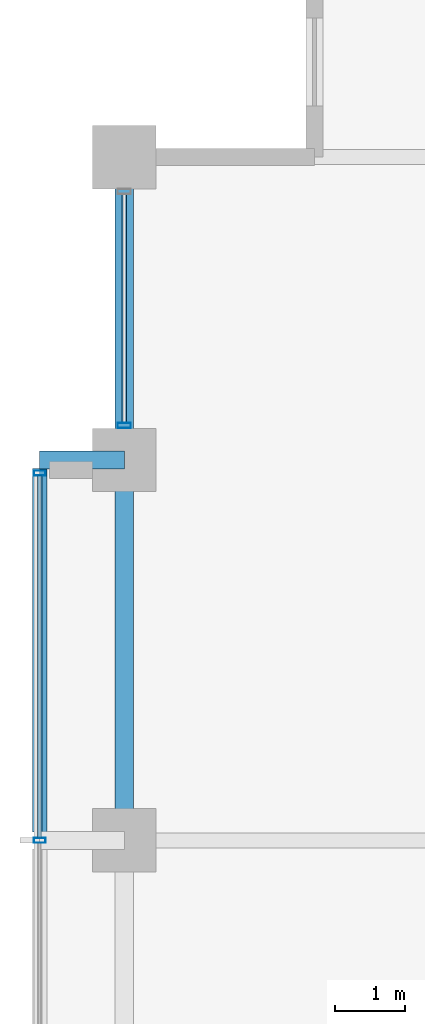
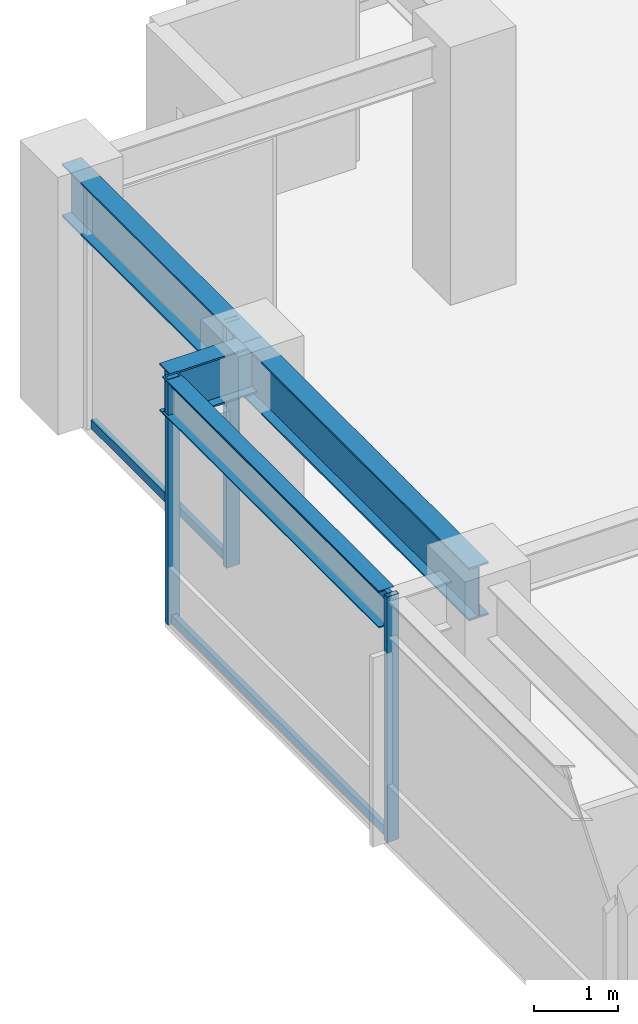
# One storey, part 16 of 32: 6 members, 4 beams, 2 elements without a shape of their own.
"""IFC4 building model written with IfcOpenShell, lengths in metres."""

from ifc_helpers import new_model, si_unit, direction, frame, origin, origin_2d, place, context, subcontext, project, spatial, hollow_rectangle, i_section, extrude, material, layer, layer_set, material_profile, profile_set, type_object, element, aggregate, save


model = new_model("IFC4")

# Units and contexts
model_context = context("Model", 3, precision=1e-05, world=origin(), true_north=direction((0.0, 1.0)))
body_context = subcontext(model_context, "Body", "Model", "MODEL_VIEW")
ifc_project = project(units=[si_unit("LENGTHUNIT", "METRE"), si_unit("AREAUNIT", "SQUARE_METRE"), si_unit("VOLUMEUNIT", "CUBIC_METRE"), si_unit("PLANEANGLEUNIT", "RADIAN"), si_unit("MASSUNIT", "GRAM", prefix="KILO")], contexts=[model_context])

# Site, building, storey
site_placement = place(None, origin())
site = spatial("IfcSite", under=ifc_project, at=site_placement, CompositionType="ELEMENT")
building_placement = place(site_placement, origin())
building = spatial("IfcBuilding", under=site, at=building_placement, Name="Surkhivell Harbour Commons", CompositionType="ELEMENT")
storey_placement = place(building_placement, frame((0.0, 0.0, 189.75)))
storey = spatial("IfcBuildingStorey", under=building, at=storey_placement, Name="L49", CompositionType="ELEMENT", Elevation=189.75)

# Beams
ifc_material_1 = material(Name="Steel S460", Category="steel")
ifc_material_profile_1 = material_profile(ifc_material_1, i_section(OverallWidth=0.256103515625, OverallDepth=0.693115234375, WebThickness=0.014404296875, FlangeThickness=0.023681640625, at=origin_2d()), Name="UB686x254x170")
ifc_profile_set_1 = profile_set([ifc_material_profile_1], Name="Steel S460")
beam_type_1 = type_object("IfcBeamType", Name="BM-CNT-686", PredefinedType="BEAM", material=ifc_profile_set_1)
beam_1_placement = place(storey_placement, frame((-27.0, 16.199951171875, 3.223388671875), z_axis=(-1.0, 0.0, 0.0), x_axis=(0.0, -1.0, 0.0)))
element("IfcBeam", 1, at=beam_1_placement, inside=storey, type_object=beam_type_1, Name="L49 Box Cantilever Outrigger (-27.0,16.2)", PredefinedType="BEAM", context=body_context, shape_type="SweptSolid", body=[
    extrude(i_section(OverallWidth=0.256103515625, OverallDepth=0.693115234375, WebThickness=0.014404296875, FlangeThickness=0.023681640625, at=origin_2d()), origin(), (0.0, 0.0, 1.0), 1.199951171875),
])
ifc_material_2 = material(Name="Steel S355", Category="steel")
ifc_material_profile_2 = material_profile(ifc_material_2, i_section(OverallWidth=0.2099609375, OverallDepth=0.537109375, WebThickness=0.0107421875, FlangeThickness=0.017333984375, at=origin_2d()), Name="UB533x210x101")
ifc_profile_set_2 = profile_set([ifc_material_profile_2], Name="Steel S355")
beam_type_2 = type_object("IfcBeamType", Name="BM-GRD-533B", PredefinedType="BEAM", material=ifc_profile_set_2)
beam_2_placement = place(storey_placement, frame((-28.199951171875, 10.922119140625, 3.301513671875), z_axis=(0.0, 1.0, 0.0), x_axis=(-1.0, 0.0, 0.0)))
element("IfcBeam", 2, at=beam_2_placement, inside=storey, type_object=beam_type_2, Name="L49 Box Rim Spandrel (-28.2,10.8)", PredefinedType="BEAM", context=body_context, shape_type="SweptSolid", body=[
    extrude(i_section(OverallWidth=0.2099609375, OverallDepth=0.537109375, WebThickness=0.0107421875, FlangeThickness=0.017333984375, at=origin_2d()), origin(), (0.0, 0.0, 1.0), 5.15576171875),
])
ifc_material_profile_3 = material_profile(ifc_material_2, i_section(OverallWidth=0.26806640625, OverallDepth=0.77001953125, WebThickness=0.015625, FlangeThickness=0.025390625, at=origin_2d()), Name="UB762x267x197")
ifc_profile_set_3 = profile_set([ifc_material_profile_3], Name="Steel S355")
beam_type_3 = type_object("IfcBeamType", Name="BM-SPN-762", PredefinedType="SPANDREL", material=ifc_profile_set_3)
beam_3_placement = place(storey_placement, frame((-27.0, 10.800048828125, 3.18505859375), z_axis=(0.0, 1.0, 0.0), x_axis=(-1.0, 0.0, 0.0)))
element("IfcBeam", 3, at=beam_3_placement, inside=storey, type_object=beam_type_3, Name="L49 Tube Spandrel (-27.0,10.8)", PredefinedType="SPANDREL", context=body_context, shape_type="SweptSolid", body=[
    extrude(i_section(OverallWidth=0.26806640625, OverallDepth=0.77001953125, WebThickness=0.015625, FlangeThickness=0.025390625, at=origin_2d()), origin(), (0.0, 0.0, 1.0), 5.39990234375),
])
beam_4_placement = place(storey_placement, frame((-27.0, 16.199951171875, 3.18505859375), z_axis=(0.0, 1.0, 0.0), x_axis=(-1.0, 0.0, 0.0)))
element("IfcBeam", 4, at=beam_4_placement, inside=storey, type_object=beam_type_3, Name="L49 Tube Spandrel (-27.0,16.2)", PredefinedType="SPANDREL", context=body_context, shape_type="SweptSolid", body=[
    extrude(i_section(OverallWidth=0.26806640625, OverallDepth=0.77001953125, WebThickness=0.015625, FlangeThickness=0.025390625, at=origin_2d()), origin(), (0.0, 0.0, 1.0), 4.300048828125),
])

# Curtain wall, members
ifc_material_3 = material(Name="Anodised pale-metal aluminium and insulated glazing", Category="aluminium")
ifc_layer_1 = layer(ifc_material_3, 0.1650390625)
ifc_layer_set_1 = layer_set([ifc_layer_1], Name="Anodised pale-metal aluminium and insulated glazing")
curtain_wall_type_1 = type_object("IfcCurtainWallType", Name="CW-SYS-BOX", PredefinedType="NOTDEFINED", material=ifc_layer_set_1)
curtain_wall_1_placement = place(storey_placement, origin())
curtain_wall_1 = element("IfcCurtainWall", 5, at=curtain_wall_1_placement, inside=storey, type_object=curtain_wall_type_1, Name="L49 Curtain Wall CW-L49-BOX02", PredefinedType="NOTDEFINED")
ifc_material_4 = material(Name="Champagne anodised aluminium alloy 6063-T6", Category="aluminium")
ifc_material_profile_4 = material_profile(ifc_material_4, hollow_rectangle(XDim=0.070068359375, YDim=0.1650390625, WallThickness=0.00341796875, at=origin_2d()), Name="ALU-MULL-70x165")
ifc_profile_set_4 = profile_set([ifc_material_profile_4], Name="Champagne anodised aluminium alloy 6063-T6")
member_type_1 = type_object("IfcMemberType", Name="CWM-165", PredefinedType="MULLION", material=ifc_profile_set_4)
member_1_placement = place(storey_placement, frame((-28.199951171875, 10.800048828125, 0.0), z_axis=(0.0, 0.0, 1.0), x_axis=(0.0, 1.0, 0.0)))
member_1 = element("IfcMember", 6, at=member_1_placement, type_object=member_type_1, Name="CW-BOX mullion 2", PredefinedType="MULLION", context=body_context, shape_type="SweptSolid", body=[
    extrude(hollow_rectangle(XDim=0.070068359375, YDim=0.1650390625, WallThickness=0.00341796875, at=origin_2d()), origin(), (0.0, 0.0, 1.0), 3.570068359375),
])
member_2_placement = place(storey_placement, frame((-28.199951171875, 16.014892578125, 0.0), z_axis=(0.0, 0.0, 1.0), x_axis=(0.0, 1.0, 0.0)))
member_2 = element("IfcMember", 7, at=member_2_placement, type_object=member_type_1, Name="CW-BOX mullion 3", PredefinedType="MULLION", context=body_context, shape_type="SweptSolid", body=[
    extrude(hollow_rectangle(XDim=0.070068359375, YDim=0.1650390625, WallThickness=0.00341796875, at=origin_2d()), origin(), (0.0, 0.0, 1.0), 3.570068359375),
])

# Curtain wall, member
ifc_layer_2 = layer(ifc_material_3, 0.18994140625)
ifc_layer_set_2 = layer_set([ifc_layer_2], Name="Anodised pale-metal aluminium and insulated glazing")
curtain_wall_type_2 = type_object("IfcCurtainWallType", Name="CW-SYS-Z3", PredefinedType="NOTDEFINED", material=ifc_layer_set_2)
curtain_wall_2_placement = place(storey_placement, origin())
curtain_wall_2 = element("IfcCurtainWall", 8, at=curtain_wall_2_placement, inside=storey, type_object=curtain_wall_type_2, Name="L49 Curtain Wall CW-L49-E12R2", PredefinedType="NOTDEFINED")
ifc_material_5 = material(Name="Anodised pale-metal aluminium alloy 6063-T6", Category="aluminium")
ifc_material_profile_5 = material_profile(ifc_material_5, hollow_rectangle(XDim=0.074951171875, YDim=0.18994140625, WallThickness=0.00390625, at=origin_2d()), Name="ALU-MULL-75x190")
ifc_profile_set_5 = profile_set([ifc_material_profile_5], Name="Anodised pale-metal aluminium alloy 6063-T6")
member_type_2 = type_object("IfcMemberType", Name="CWM-190", PredefinedType="MULLION", material=ifc_profile_set_5)
member_3_placement = place(storey_placement, frame((-27.0, 16.689453125, 0.0), z_axis=(0.0, 0.0, 1.0), x_axis=(0.0, 1.0, 0.0)))
member_3 = element("IfcMember", 9, at=member_3_placement, type_object=member_type_2, Name="CW-Z3 mullion 1", PredefinedType="MULLION", context=body_context, shape_type="SweptSolid", body=[
    extrude(hollow_rectangle(XDim=0.074951171875, YDim=0.18994140625, WallThickness=0.00390625, at=origin_2d()), origin(), (0.0, 0.0, 1.0), 3.570068359375),
])

# Member
ifc_material_profile_6 = material_profile(ifc_material_4, hollow_rectangle(XDim=0.070068359375, YDim=0.1298828125, WallThickness=0.00341796875, at=origin_2d()), Name="ALU-TRAN-70x130")
ifc_profile_set_6 = profile_set([ifc_material_profile_6], Name="Champagne anodised aluminium alloy 6063-T6")
member_type_3 = type_object("IfcMemberType", Name="CWT-130", PredefinedType="USERDEFINED", material=ifc_profile_set_6)
member_4_placement = place(storey_placement, frame((-28.199951171875, 10.8349609375, 0.06494140625), z_axis=(0.0, 1.0, 0.0), x_axis=(-1.0, 0.0, 0.0)))
member_4 = element("IfcMember", 10, at=member_4_placement, type_object=member_type_3, Name="CW-BOX transom 2.1", ObjectType="TRANSOM", PredefinedType="USERDEFINED", context=body_context, shape_type="SweptSolid", body=[
    extrude(hollow_rectangle(XDim=0.070068359375, YDim=0.1298828125, WallThickness=0.00341796875, at=origin_2d()), origin(), (0.0, 0.0, 1.0), 5.14501953125),
])

member_5_placement = place(storey_placement, frame((-28.199951171875, 10.8349609375, 3.5048828125), z_axis=(0.0, 1.0, 0.0), x_axis=(-1.0, 0.0, 0.0)))
member_5 = element("IfcMember", 11, at=member_5_placement, type_object=member_type_3, Name="CW-BOX transom 2.2", ObjectType="TRANSOM", PredefinedType="USERDEFINED", context=body_context, shape_type="SweptSolid", body=[
    extrude(hollow_rectangle(XDim=0.070068359375, YDim=0.1298828125, WallThickness=0.00341796875, at=origin_2d()), origin(), (0.0, 0.0, 1.0), 5.14501953125),
])

aggregate(curtain_wall_1, [member_1, member_2, member_4, member_5])

member_6_placement = place(storey_placement, frame((-27.0, 16.72705078125, 0.06494140625), z_axis=(0.0, 1.0, 0.0), x_axis=(-1.0, 0.0, 0.0)))
member_6 = element("IfcMember", 12, at=member_6_placement, type_object=member_type_3, Name="CW-Z3 transom 1.1", ObjectType="TRANSOM", PredefinedType="USERDEFINED", context=body_context, shape_type="SweptSolid", body=[
    extrude(hollow_rectangle(XDim=0.070068359375, YDim=0.1298828125, WallThickness=0.00341796875, at=origin_2d()), origin(), (0.0, 0.0, 1.0), 3.245849609375),
])

aggregate(curtain_wall_2, [member_3, member_6])

save(model, "model.ifc")
